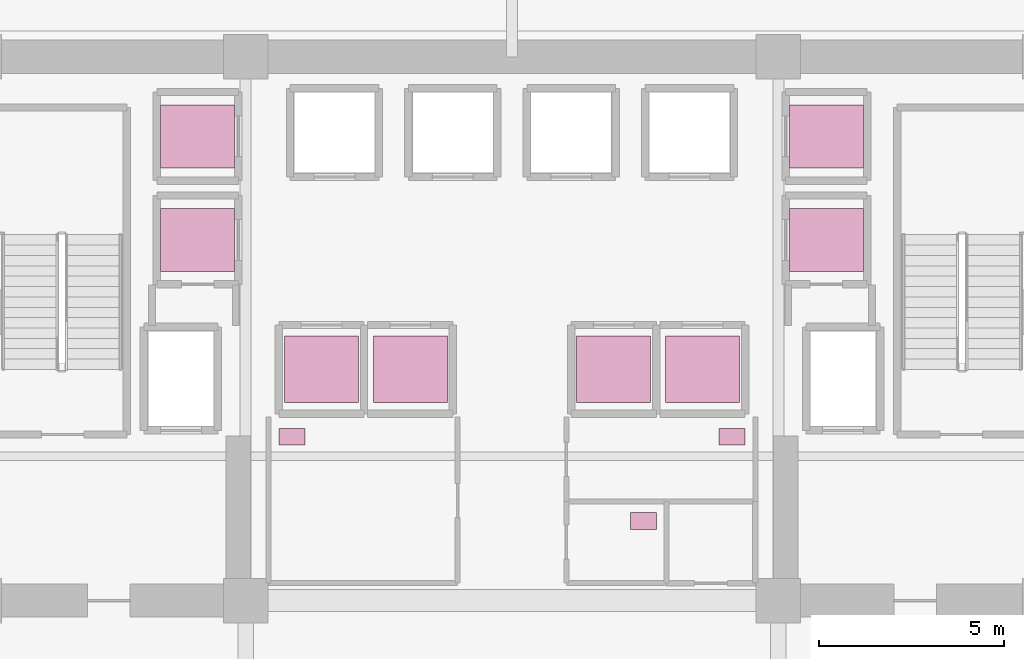
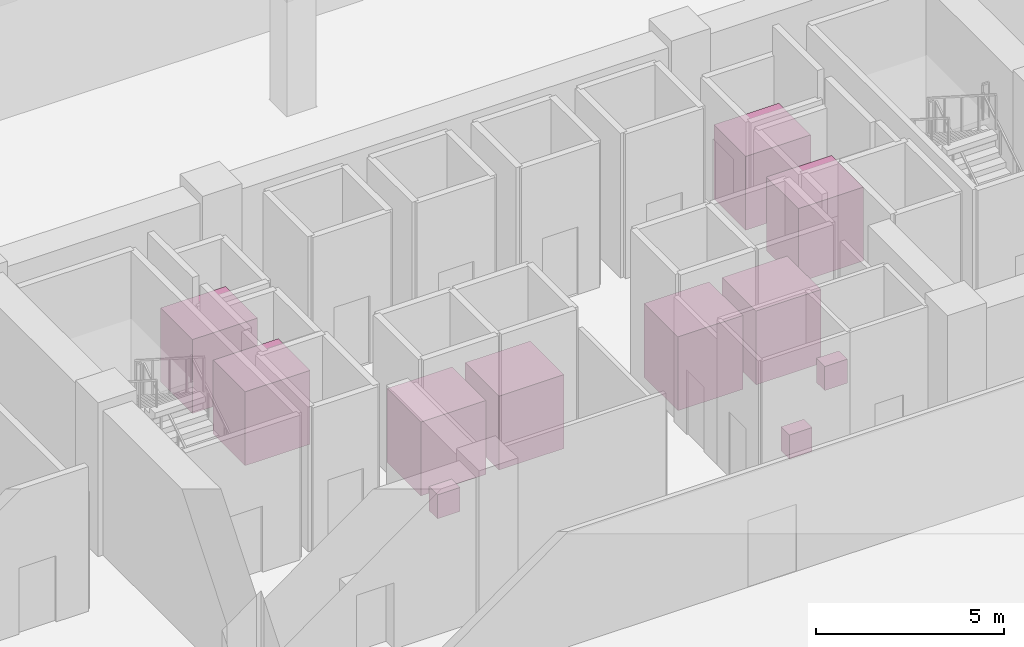
# One storey, part 27 of 27: 8 transport elements, 3 furnishings.
"""IFC4 building model written with IfcOpenShell, lengths in metres."""

from ifc_helpers import new_model, si_unit, direction, frame, origin, origin_2d, place, context, subcontext, project, spatial, rectangle, extrude, source, transform, mapped, material, type_object, element, save


model = new_model("IFC4")

# Units and contexts
model_context = context("Model", 3, precision=1e-05, world=origin(), true_north=direction((0.0, 1.0)))
body_context = subcontext(model_context, "Body", "Model", "MODEL_VIEW")
ifc_project = project(units=[si_unit("LENGTHUNIT", "METRE"), si_unit("AREAUNIT", "SQUARE_METRE"), si_unit("VOLUMEUNIT", "CUBIC_METRE"), si_unit("PLANEANGLEUNIT", "RADIAN"), si_unit("MASSUNIT", "GRAM", prefix="KILO")], contexts=[model_context])

# Site, building, storey
site_placement = place(None, origin())
site = spatial("IfcSite", under=ifc_project, at=site_placement, CompositionType="ELEMENT")
building_placement = place(site_placement, origin())
building = spatial("IfcBuilding", under=site, at=building_placement, Name="Zarnakvel Exchange Tower", CompositionType="ELEMENT")
storey_placement = place(building_placement, origin())
storey = spatial("IfcBuildingStorey", under=building, at=storey_placement, Name="L00", CompositionType="ELEMENT", Elevation=0.0)

# Transport elements
ifc_material_1 = material(Name="Brushed Stainless Steel", Category="steel")
transport_element_type_1 = type_object("IfcTransportElementType", Name="LFT-MD", PredefinedType="ELEVATOR", material=ifc_material_1)
shared_shape_1 = source(origin(), body_context, "Body", "SweptSolid", [
    extrude(rectangle(XDim=2.0, YDim=1.800048828125, at=origin_2d()), origin(), (0.0, 0.0, 1.0), 2.39990234375),
])
for number, where, z_axis, x_axis, name in (
    (1, (-5.14990234375, 5.050048828125, 0.0), (0.0, 0.0, 1.0), (1.0, 0.0, 0.0), "Mid-Rise Passenger Lift PL-05"),
    (2, (-2.75, 5.050048828125, 0.0), (0.0, 0.0, 1.0), (1.0, 0.0, 0.0), "Mid-Rise Passenger Lift PL-06"),
    (3, (2.75, 5.050048828125, 0.0), (0.0, 0.0, 1.0), (1.0, 0.0, 0.0), "Mid-Rise Passenger Lift PL-07"),
    (4, (5.14990234375, 5.050048828125, 0.0), (0.0, 0.0, 1.0), (1.0, 0.0, 0.0), "Mid-Rise Passenger Lift PL-08"),
):
    element("IfcTransportElement", number, at=place(storey_placement, frame(where, z_axis=z_axis, x_axis=x_axis)), inside=storey, type_object=transport_element_type_1, Name=name, PredefinedType="ELEVATOR", context=body_context, shape_type="MappedRepresentation", body=[
        mapped(shared_shape_1, transform((0.0, 0.0, 0.0), x_axis=(1.0, 0.0, 0.0), y_axis=(0.0, 1.0, 0.0), z_axis=(0.0, 0.0, 1.0), scale=1.0)),
    ])
transport_element_type_2 = type_object("IfcTransportElementType", Name="LFT-HI", PredefinedType="ELEVATOR", material=ifc_material_1)
shared_shape_2 = source(origin(), body_context, "Body", "SweptSolid", [
    extrude(rectangle(XDim=2.0, YDim=1.699951171875, at=origin_2d()), origin(), (0.0, 0.0, 1.0), 2.39990234375),
])
for number, where, z_axis, x_axis, name in (
    (5, (-8.5, 8.550048828125, 0.0), (0.0, 0.0, 1.0), (1.0, 0.0, 0.0), "High-Rise Express Passenger Lift PL-09"),
    (6, (-8.5, 11.35009765625, 0.0), (0.0, 0.0, 1.0), (1.0, 0.0, 0.0), "High-Rise Express Passenger Lift PL-10"),
    (7, (8.5, 8.550048828125, 0.0), (0.0, 0.0, 1.0), (1.0, 0.0, 0.0), "High-Rise Express Passenger Lift PL-11"),
    (8, (8.5, 11.35009765625, 0.0), (0.0, 0.0, 1.0), (1.0, 0.0, 0.0), "High-Rise Express Passenger Lift PL-12"),
):
    element("IfcTransportElement", number, at=place(storey_placement, frame(where, z_axis=z_axis, x_axis=x_axis)), inside=storey, type_object=transport_element_type_2, Name=name, PredefinedType="ELEVATOR", context=body_context, shape_type="MappedRepresentation", body=[
        mapped(shared_shape_2, transform((0.0, 0.0, 0.0), x_axis=(1.0, 0.0, 0.0), y_axis=(0.0, 1.0, 0.0), z_axis=(0.0, 0.0, 1.0), scale=1.0)),
    ])

# Furnishings
ifc_material_2 = material(Name="Vitreous China Sanitaryware", Category="ceramic")
furnishing_element_type = type_object("IfcFurnishingElementType", Name="SAN-WC", material=ifc_material_2)
shared_shape_3 = source(origin(), body_context, "Body", "SweptSolid", [
    extrude(rectangle(XDim=0.699951171875, YDim=0.449951171875, at=origin_2d()), origin(), (0.0, 0.0, 1.0), 0.780029296875),
])
for number, where, z_axis, x_axis, name in (
    (9, (-5.949951171875, 3.22998046875, 0.0), (0.0, 0.0, 1.0), (1.0, 0.0, 0.0), "L00 Sanitary Fixture (Male Toilet)"),
    (10, (5.949951171875, 3.22998046875, 0.0), (0.0, 0.0, 1.0), (1.0, 0.0, 0.0), "L00 Sanitary Fixture (Female Toilet)"),
    (11, (3.550048828125, 0.949951171875, 0.0), (0.0, 0.0, 1.0), (1.0, 0.0, 0.0), "L00 Sanitary Fixture (Accessible Toilet)"),
):
    element("IfcFurnishingElement", number, at=place(storey_placement, frame(where, z_axis=z_axis, x_axis=x_axis)), inside=storey, type_object=furnishing_element_type, Name=name, ObjectType="SANITARY_FIXTURE", context=body_context, shape_type="MappedRepresentation", body=[
        mapped(shared_shape_3, transform((0.0, 0.0, 0.0), x_axis=(1.0, 0.0, 0.0), y_axis=(0.0, 1.0, 0.0), z_axis=(0.0, 0.0, 1.0), scale=1.0)),
    ])

save(model, "model.ifc")
